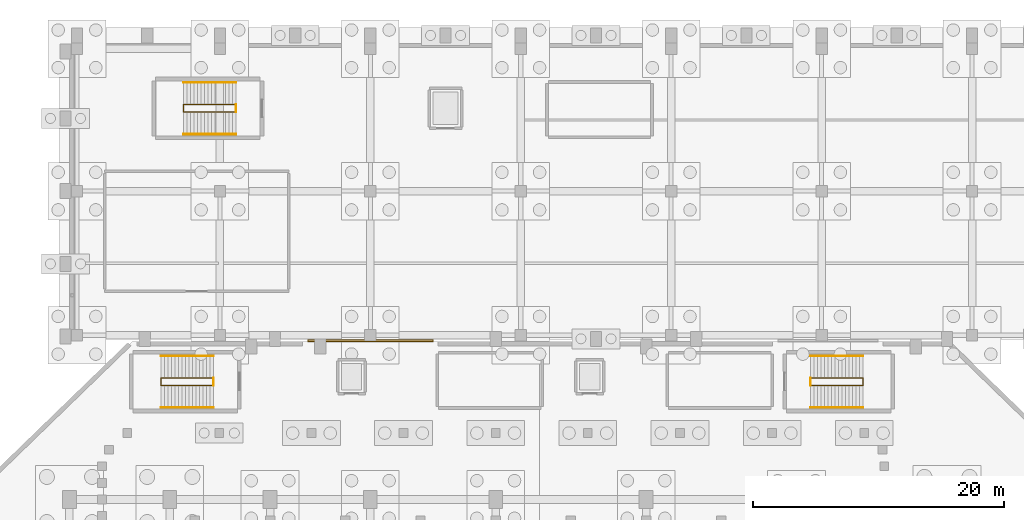
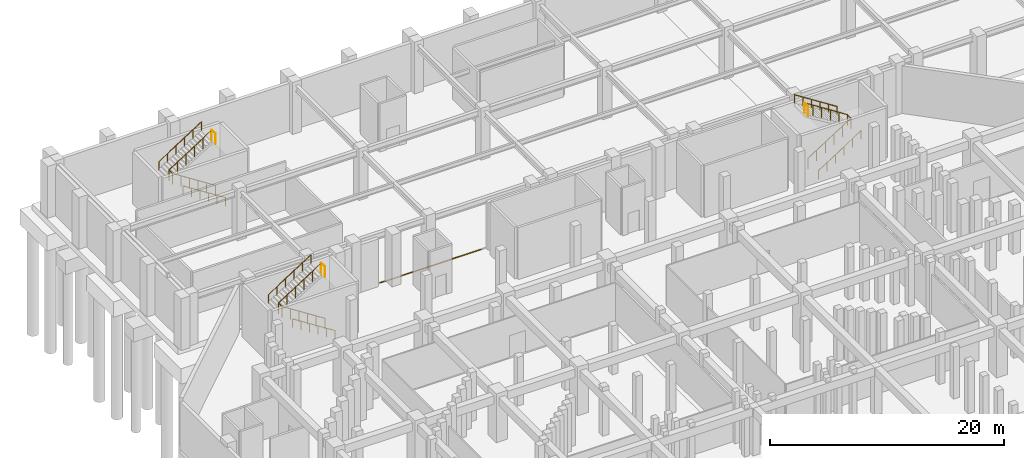
# One storey, part 23 of 27: 12 railings, 1 covering.
"""IFC4 building model written with IfcOpenShell, lengths in metres."""

from ifc_helpers import new_model, si_unit, derived_unit, direction, frame, origin, origin_2d, place, context, subcontext, project, spatial, polyline, circle, outline, extrude, material, layer, layer_set, type_object, element, save


model = new_model("IFC4")

# Units and contexts
model_context = context("Model", 3, precision=1e-05, world=origin(), true_north=direction((0.0, 1.0)))
body_context = subcontext(model_context, "Body", "Model", "MODEL_VIEW")
ifc_project = project(units=[si_unit("LENGTHUNIT", "METRE"), si_unit("AREAUNIT", "SQUARE_METRE"), si_unit("VOLUMEUNIT", "CUBIC_METRE"), si_unit("PLANEANGLEUNIT", "RADIAN"), si_unit("MASSUNIT", "GRAM", prefix="KILO"), derived_unit("THERMALTRANSMITTANCEUNIT", [(si_unit("MASSUNIT", "GRAM", prefix="KILO"), 1), (si_unit("TIMEUNIT", "SECOND"), -3), (si_unit("THERMODYNAMICTEMPERATUREUNIT", "KELVIN"), -1)])], contexts=[model_context])

# Site, building, storey
site_placement = place(None, origin())
site = spatial("IfcSite", under=ifc_project, at=site_placement, CompositionType="ELEMENT")
building_placement = place(site_placement, origin())
building = spatial("IfcBuilding", under=site, at=building_placement, Name="Valcora Ridge Arena", CompositionType="ELEMENT")
storey_placement = place(building_placement, frame((0.0, 0.0, -5.39990234375)))
storey = spatial("IfcBuildingStorey", under=building, at=storey_placement, Name="B1", CompositionType="ELEMENT", Elevation=-5.39990234375)

# Covering
ifc_material_1 = material(Name="Steel ASTM A572 Grade 50", Category="steel")
ifc_layer = layer(ifc_material_1, 0.02001953125, Name="Steel ASTM A572 Grade 50")
ifc_layer_set = layer_set([ifc_layer], Name="Steel ASTM A572 Grade 50")
covering_type = type_object("IfcCoveringType", Name="TY-COVERING-COV-SJ-150", PredefinedType="FLOORING", material=ifc_layer_set)
covering_placement = place(storey_placement, frame((0.0, 0.0, -0.02001953125)))
element("IfcCovering", 1, at=covering_placement, inside=storey, type_object=covering_type, Name="COV-SJ-150 COV-SJ-0013", PredefinedType="FLOORING", context=body_context, shape_type="SweptSolid", body=[
    extrude(outline(polyline([(43.0, 108.199951171875), (53.0, 108.199951171875), (53.0, 108.35009765625), (43.0, 108.35009765625), (43.0, 108.199951171875)])), origin(), (0.0, 0.0, 1.0), 0.02001953125),
])

# Railings
ifc_material_2 = material(Name="Galvanized painted steel ASTM A500 Grade B", Category="steel")
railing_type_1 = type_object("IfcRailingType", Name="TY-RAILING-GRD-STAIR-1120", PredefinedType="GUARDRAIL", material=ifc_material_2)
railing_1_placement = place(storey_placement, frame((35.489990234375, 104.699951171875, 0.0)))
element("IfcRailing", 2, at=railing_1_placement, inside=storey, type_object=railing_type_1, Name="GRD-STAIR-1120 RAL-SG-0023", PredefinedType="GUARDRAIL", context=body_context, shape_type="SweptSolid", body=[
    extrude(circle(Radius=0.02392578125, at=origin_2d()), frame((0.0, 0.0, 1.09619140625), z_axis=(-0.841180064094, 0.0, 0.540755119968), x_axis=(0.0, -1.0, 0.0)), (0.0, 0.0, 1.0), 4.992919921875),
    extrude(circle(Radius=0.02392578125, at=origin_2d()), frame((-4.199951171875, 0.0, 3.7958984375), z_axis=(0.0, 1.0, 0.0), x_axis=(-1.0, 0.0, 0.0)), (0.0, 0.0, 1.0), 0.60009765625),
    extrude(circle(Radius=0.02392578125, at=origin_2d()), frame((-4.199951171875, 0.60009765625, 3.7958984375), z_axis=(0.841180064094, 0.0, 0.540755119968), x_axis=(0.0, 1.0, 0.0)), (0.0, 0.0, 1.0), 4.992919921875),
    extrude(circle(Radius=0.02099609375, at=origin_2d()), origin(), (0.0, 0.0, 1.0), 1.072021484375),
    extrude(circle(Radius=0.02099609375, at=origin_2d()), frame((-0.840087890625, 0.0, 0.5400390625)), (0.0, 0.0, 1.0), 1.072021484375),
    extrude(circle(Radius=0.02099609375, at=origin_2d()), frame((-1.679931640625, 0.0, 1.080078125)), (0.0, 0.0, 1.0), 1.072021484375),
    extrude(circle(Radius=0.02099609375, at=origin_2d()), frame((-2.52001953125, 0.0, 1.619873046875)), (0.0, 0.0, 1.0), 1.072021484375),
    extrude(circle(Radius=0.02099609375, at=origin_2d()), frame((-3.35986328125, 0.0, 2.159912109375)), (0.0, 0.0, 1.0), 1.072021484375),
    extrude(circle(Radius=0.02099609375, at=origin_2d()), frame((-4.199951171875, 0.0, 2.699951171875)), (0.0, 0.0, 1.0), 1.072021484375),
    extrude(circle(Radius=0.02099609375, at=origin_2d()), frame((-4.199951171875, 0.60009765625, 2.699951171875)), (0.0, 0.0, 1.0), 1.072021484375),
    extrude(circle(Radius=0.02099609375, at=origin_2d()), frame((-3.35986328125, 0.60009765625, 3.239990234375)), (0.0, 0.0, 1.0), 1.072021484375),
    extrude(circle(Radius=0.02099609375, at=origin_2d()), frame((-2.52001953125, 0.60009765625, 3.780029296875)), (0.0, 0.0, 1.0), 1.072021484375),
    extrude(circle(Radius=0.02099609375, at=origin_2d()), frame((-1.679931640625, 0.60009765625, 4.31982421875)), (0.0, 0.0, 1.0), 1.072021484375),
    extrude(circle(Radius=0.02099609375, at=origin_2d()), frame((-0.840087890625, 0.60009765625, 4.85986328125)), (0.0, 0.0, 1.0), 1.072021484375),
    extrude(circle(Radius=0.02099609375, at=origin_2d()), frame((0.0, 0.60009765625, 5.39990234375)), (0.0, 0.0, 1.0), 1.072021484375),
])
railing_2_placement = place(storey_placement, frame((35.489990234375, 104.699951171875, 5.39990234375)))
element("IfcRailing", 3, at=railing_2_placement, inside=storey, type_object=railing_type_1, Name="GRD-STAIR-1120 RAL-SG-0024", PredefinedType="GUARDRAIL", context=body_context, shape_type="SweptSolid", body=[
    extrude(circle(Radius=0.02392578125, at=origin_2d()), frame((0.0, 0.0, 1.09619140625), z_axis=(0.0, 1.0, 0.0), x_axis=(-1.0, 0.0, 0.0)), (0.0, 0.0, 1.0), 0.60009765625),
    extrude(circle(Radius=0.02099609375, at=origin_2d()), origin(), (0.0, 0.0, 1.0), 1.072021484375),
    extrude(circle(Radius=0.02099609375, at=origin_2d()), frame((0.0, 0.60009765625, 0.0)), (0.0, 0.0, 1.0), 1.072021484375),
])
railing_3_placement = place(storey_placement, frame((83.110107421875, 104.699951171875, 0.0)))
element("IfcRailing", 4, at=railing_3_placement, inside=storey, type_object=railing_type_1, Name="GRD-STAIR-1120 RAL-SG-0035", PredefinedType="GUARDRAIL", context=body_context, shape_type="SweptSolid", body=[
    extrude(circle(Radius=0.02392578125, at=origin_2d()), frame((0.0, 0.0, 1.09619140625), z_axis=(0.841180064094, 0.0, 0.540755119968), x_axis=(0.0, 1.0, 0.0)), (0.0, 0.0, 1.0), 4.992919921875),
    extrude(circle(Radius=0.02392578125, at=origin_2d()), frame((4.199951171875, 0.0, 3.7958984375), z_axis=(0.0, 1.0, 0.0), x_axis=(-1.0, 0.0, 0.0)), (0.0, 0.0, 1.0), 0.60009765625),
    extrude(circle(Radius=0.02392578125, at=origin_2d()), frame((4.199951171875, 0.60009765625, 3.7958984375), z_axis=(-0.841180064094, 0.0, 0.540755119968), x_axis=(0.0, -1.0, 0.0)), (0.0, 0.0, 1.0), 4.992919921875),
    extrude(circle(Radius=0.02099609375, at=origin_2d()), origin(), (0.0, 0.0, 1.0), 1.072021484375),
    extrude(circle(Radius=0.02099609375, at=origin_2d()), frame((0.840087890625, 0.0, 0.5400390625)), (0.0, 0.0, 1.0), 1.072021484375),
    extrude(circle(Radius=0.02099609375, at=origin_2d()), frame((1.679931640625, 0.0, 1.080078125)), (0.0, 0.0, 1.0), 1.072021484375),
    extrude(circle(Radius=0.02099609375, at=origin_2d()), frame((2.52001953125, 0.0, 1.619873046875)), (0.0, 0.0, 1.0), 1.072021484375),
    extrude(circle(Radius=0.02099609375, at=origin_2d()), frame((3.35986328125, 0.0, 2.159912109375)), (0.0, 0.0, 1.0), 1.072021484375),
    extrude(circle(Radius=0.02099609375, at=origin_2d()), frame((4.199951171875, 0.0, 2.699951171875)), (0.0, 0.0, 1.0), 1.072021484375),
    extrude(circle(Radius=0.02099609375, at=origin_2d()), frame((4.199951171875, 0.60009765625, 2.699951171875)), (0.0, 0.0, 1.0), 1.072021484375),
    extrude(circle(Radius=0.02099609375, at=origin_2d()), frame((3.35986328125, 0.60009765625, 3.239990234375)), (0.0, 0.0, 1.0), 1.072021484375),
    extrude(circle(Radius=0.02099609375, at=origin_2d()), frame((2.52001953125, 0.60009765625, 3.780029296875)), (0.0, 0.0, 1.0), 1.072021484375),
    extrude(circle(Radius=0.02099609375, at=origin_2d()), frame((1.679931640625, 0.60009765625, 4.31982421875)), (0.0, 0.0, 1.0), 1.072021484375),
    extrude(circle(Radius=0.02099609375, at=origin_2d()), frame((0.840087890625, 0.60009765625, 4.85986328125)), (0.0, 0.0, 1.0), 1.072021484375),
    extrude(circle(Radius=0.02099609375, at=origin_2d()), frame((0.0, 0.60009765625, 5.39990234375)), (0.0, 0.0, 1.0), 1.072021484375),
])
railing_4_placement = place(storey_placement, frame((83.110107421875, 104.699951171875, 5.39990234375)))
element("IfcRailing", 5, at=railing_4_placement, inside=storey, type_object=railing_type_1, Name="GRD-STAIR-1120 RAL-SG-0036", PredefinedType="GUARDRAIL", context=body_context, shape_type="SweptSolid", body=[
    extrude(circle(Radius=0.02392578125, at=origin_2d()), frame((0.0, 0.0, 1.09619140625), z_axis=(0.0, 1.0, 0.0), x_axis=(-1.0, 0.0, 0.0)), (0.0, 0.0, 1.0), 0.60009765625),
    extrude(circle(Radius=0.02099609375, at=origin_2d()), origin(), (0.0, 0.0, 1.0), 1.072021484375),
    extrude(circle(Radius=0.02099609375, at=origin_2d()), frame((0.0, 0.60009765625, 0.0)), (0.0, 0.0, 1.0), 1.072021484375),
])
railing_5_placement = place(storey_placement, frame((37.2900390625, 126.5, 0.0)))
element("IfcRailing", 6, at=railing_5_placement, inside=storey, type_object=railing_type_1, Name="GRD-STAIR-1120 RAL-SG-0073", PredefinedType="GUARDRAIL", context=body_context, shape_type="SweptSolid", body=[
    extrude(circle(Radius=0.02392578125, at=origin_2d()), frame((0.0, 0.0, 1.09619140625), z_axis=(-0.841180064094, 0.0, 0.540755119968), x_axis=(0.0, -1.0, 0.0)), (0.0, 0.0, 1.0), 4.992919921875),
    extrude(circle(Radius=0.02392578125, at=origin_2d()), frame((-4.199951171875, 0.0, 3.7958984375), z_axis=(0.0, 1.0, 0.0), x_axis=(-1.0, 0.0, 0.0)), (0.0, 0.0, 1.0), 0.60009765625),
    extrude(circle(Radius=0.02392578125, at=origin_2d()), frame((-4.199951171875, 0.60009765625, 3.7958984375), z_axis=(0.841180064094, 0.0, 0.540755119968), x_axis=(0.0, 1.0, 0.0)), (0.0, 0.0, 1.0), 4.992919921875),
    extrude(circle(Radius=0.02099609375, at=origin_2d()), origin(), (0.0, 0.0, 1.0), 1.072021484375),
    extrude(circle(Radius=0.02099609375, at=origin_2d()), frame((-0.840087890625, 0.0, 0.5400390625)), (0.0, 0.0, 1.0), 1.072021484375),
    extrude(circle(Radius=0.02099609375, at=origin_2d()), frame((-1.679931640625, 0.0, 1.080078125)), (0.0, 0.0, 1.0), 1.072021484375),
    extrude(circle(Radius=0.02099609375, at=origin_2d()), frame((-2.52001953125, 0.0, 1.619873046875)), (0.0, 0.0, 1.0), 1.072021484375),
    extrude(circle(Radius=0.02099609375, at=origin_2d()), frame((-3.35986328125, 0.0, 2.159912109375)), (0.0, 0.0, 1.0), 1.072021484375),
    extrude(circle(Radius=0.02099609375, at=origin_2d()), frame((-4.199951171875, 0.0, 2.699951171875)), (0.0, 0.0, 1.0), 1.072021484375),
    extrude(circle(Radius=0.02099609375, at=origin_2d()), frame((-4.199951171875, 0.60009765625, 2.699951171875)), (0.0, 0.0, 1.0), 1.072021484375),
    extrude(circle(Radius=0.02099609375, at=origin_2d()), frame((-3.35986328125, 0.60009765625, 3.239990234375)), (0.0, 0.0, 1.0), 1.072021484375),
    extrude(circle(Radius=0.02099609375, at=origin_2d()), frame((-2.52001953125, 0.60009765625, 3.780029296875)), (0.0, 0.0, 1.0), 1.072021484375),
    extrude(circle(Radius=0.02099609375, at=origin_2d()), frame((-1.679931640625, 0.60009765625, 4.31982421875)), (0.0, 0.0, 1.0), 1.072021484375),
    extrude(circle(Radius=0.02099609375, at=origin_2d()), frame((-0.840087890625, 0.60009765625, 4.85986328125)), (0.0, 0.0, 1.0), 1.072021484375),
    extrude(circle(Radius=0.02099609375, at=origin_2d()), frame((0.0, 0.60009765625, 5.39990234375)), (0.0, 0.0, 1.0), 1.072021484375),
])
railing_6_placement = place(storey_placement, frame((37.2900390625, 126.5, 5.39990234375)))
element("IfcRailing", 7, at=railing_6_placement, inside=storey, type_object=railing_type_1, Name="GRD-STAIR-1120 RAL-SG-0074", PredefinedType="GUARDRAIL", context=body_context, shape_type="SweptSolid", body=[
    extrude(circle(Radius=0.02392578125, at=origin_2d()), frame((0.0, 0.0, 1.09619140625), z_axis=(0.0, 1.0, 0.0), x_axis=(-1.0, 0.0, 0.0)), (0.0, 0.0, 1.0), 0.60009765625),
    extrude(circle(Radius=0.02099609375, at=origin_2d()), origin(), (0.0, 0.0, 1.0), 1.072021484375),
    extrude(circle(Radius=0.02099609375, at=origin_2d()), frame((0.0, 0.60009765625, 0.0)), (0.0, 0.0, 1.0), 1.072021484375),
])
railing_type_2 = type_object("IfcRailingType", Name="TY-RAILING-HR-STAIR-900", PredefinedType="HANDRAIL", material=ifc_material_2)
railing_7_placement = place(storey_placement, frame((35.489990234375, 102.93994140625, 0.0)))
element("IfcRailing", 8, at=railing_7_placement, inside=storey, type_object=railing_type_2, Name="HR-STAIR-900 RAL-SH-0023", PredefinedType="HANDRAIL", context=body_context, shape_type="SweptSolid", body=[
    extrude(circle(Radius=0.02392578125, at=origin_2d()), frame((0.0, 0.0, 0.8759765625), z_axis=(-0.841180064094, 0.0, 0.540755119968), x_axis=(0.0, -1.0, 0.0)), (0.0, 0.0, 1.0), 4.992919921875),
    extrude(circle(Radius=0.02099609375, at=origin_2d()), origin(), (0.0, 0.0, 1.0), 0.851806640625),
    extrude(circle(Radius=0.02099609375, at=origin_2d()), frame((-0.840087890625, 0.0, 0.5400390625)), (0.0, 0.0, 1.0), 0.851806640625),
    extrude(circle(Radius=0.02099609375, at=origin_2d()), frame((-1.679931640625, 0.0, 1.080078125)), (0.0, 0.0, 1.0), 0.851806640625),
    extrude(circle(Radius=0.02099609375, at=origin_2d()), frame((-2.52001953125, 0.0, 1.619873046875)), (0.0, 0.0, 1.0), 0.851806640625),
    extrude(circle(Radius=0.02099609375, at=origin_2d()), frame((-3.35986328125, 0.0, 2.159912109375)), (0.0, 0.0, 1.0), 0.851806640625),
    extrude(circle(Radius=0.02099609375, at=origin_2d()), frame((-4.199951171875, 0.0, 2.699951171875)), (0.0, 0.0, 1.0), 0.851806640625),
])
for number, where, name in (
    (9, (31.2900390625, 107.06005859375, 2.699951171875), "HR-STAIR-900 RAL-SH-0024"),
    (10, (83.110107421875, 102.93994140625, 0.0), "HR-STAIR-900 RAL-SH-0035"),
):
    element("IfcRailing", number, at=place(storey_placement, frame(where)), inside=storey, type_object=railing_type_2, Name=name, PredefinedType="HANDRAIL", context=body_context, shape_type="SweptSolid", body=[
        extrude(circle(Radius=0.02392578125, at=origin_2d()), frame((0.0, 0.0, 0.8759765625), z_axis=(0.841180064094, 0.0, 0.540755119968), x_axis=(0.0, 1.0, 0.0)), (0.0, 0.0, 1.0), 4.992919921875),
        extrude(circle(Radius=0.02099609375, at=origin_2d()), origin(), (0.0, 0.0, 1.0), 0.851806640625),
        extrude(circle(Radius=0.02099609375, at=origin_2d()), frame((0.840087890625, 0.0, 0.5400390625)), (0.0, 0.0, 1.0), 0.851806640625),
        extrude(circle(Radius=0.02099609375, at=origin_2d()), frame((1.679931640625, 0.0, 1.080078125)), (0.0, 0.0, 1.0), 0.851806640625),
        extrude(circle(Radius=0.02099609375, at=origin_2d()), frame((2.52001953125, 0.0, 1.619873046875)), (0.0, 0.0, 1.0), 0.851806640625),
        extrude(circle(Radius=0.02099609375, at=origin_2d()), frame((3.35986328125, 0.0, 2.159912109375)), (0.0, 0.0, 1.0), 0.851806640625),
        extrude(circle(Radius=0.02099609375, at=origin_2d()), frame((4.199951171875, 0.0, 2.699951171875)), (0.0, 0.0, 1.0), 0.851806640625),
    ])
for number, where, name in (
    (11, (87.31005859375, 107.06005859375, 2.699951171875), "HR-STAIR-900 RAL-SH-0036"),
    (12, (37.2900390625, 124.739990234375, 0.0), "HR-STAIR-900 RAL-SH-0073"),
):
    element("IfcRailing", number, at=place(storey_placement, frame(where)), inside=storey, type_object=railing_type_2, Name=name, PredefinedType="HANDRAIL", context=body_context, shape_type="SweptSolid", body=[
        extrude(circle(Radius=0.02392578125, at=origin_2d()), frame((0.0, 0.0, 0.8759765625), z_axis=(-0.841180064094, 0.0, 0.540755119968), x_axis=(0.0, -1.0, 0.0)), (0.0, 0.0, 1.0), 4.992919921875),
        extrude(circle(Radius=0.02099609375, at=origin_2d()), origin(), (0.0, 0.0, 1.0), 0.851806640625),
        extrude(circle(Radius=0.02099609375, at=origin_2d()), frame((-0.840087890625, 0.0, 0.5400390625)), (0.0, 0.0, 1.0), 0.851806640625),
        extrude(circle(Radius=0.02099609375, at=origin_2d()), frame((-1.679931640625, 0.0, 1.080078125)), (0.0, 0.0, 1.0), 0.851806640625),
        extrude(circle(Radius=0.02099609375, at=origin_2d()), frame((-2.52001953125, 0.0, 1.619873046875)), (0.0, 0.0, 1.0), 0.851806640625),
        extrude(circle(Radius=0.02099609375, at=origin_2d()), frame((-3.35986328125, 0.0, 2.159912109375)), (0.0, 0.0, 1.0), 0.851806640625),
        extrude(circle(Radius=0.02099609375, at=origin_2d()), frame((-4.199951171875, 0.0, 2.699951171875)), (0.0, 0.0, 1.0), 0.851806640625),
    ])
railing_8_placement = place(storey_placement, frame((33.090087890625, 128.860107421875, 2.699951171875)))
element("IfcRailing", 13, at=railing_8_placement, inside=storey, type_object=railing_type_2, Name="HR-STAIR-900 RAL-SH-0074", PredefinedType="HANDRAIL", context=body_context, shape_type="SweptSolid", body=[
    extrude(circle(Radius=0.02392578125, at=origin_2d()), frame((0.0, 0.0, 0.8759765625), z_axis=(0.841180064094, 0.0, 0.540755119968), x_axis=(0.0, 1.0, 0.0)), (0.0, 0.0, 1.0), 4.992919921875),
    extrude(circle(Radius=0.02099609375, at=origin_2d()), origin(), (0.0, 0.0, 1.0), 0.851806640625),
    extrude(circle(Radius=0.02099609375, at=origin_2d()), frame((0.840087890625, 0.0, 0.5400390625)), (0.0, 0.0, 1.0), 0.851806640625),
    extrude(circle(Radius=0.02099609375, at=origin_2d()), frame((1.679931640625, 0.0, 1.080078125)), (0.0, 0.0, 1.0), 0.851806640625),
    extrude(circle(Radius=0.02099609375, at=origin_2d()), frame((2.52001953125, 0.0, 1.619873046875)), (0.0, 0.0, 1.0), 0.851806640625),
    extrude(circle(Radius=0.02099609375, at=origin_2d()), frame((3.35986328125, 0.0, 2.159912109375)), (0.0, 0.0, 1.0), 0.851806640625),
    extrude(circle(Radius=0.02099609375, at=origin_2d()), frame((4.199951171875, 0.0, 2.699951171875)), (0.0, 0.0, 1.0), 0.851806640625),
])

save(model, "model.ifc")
